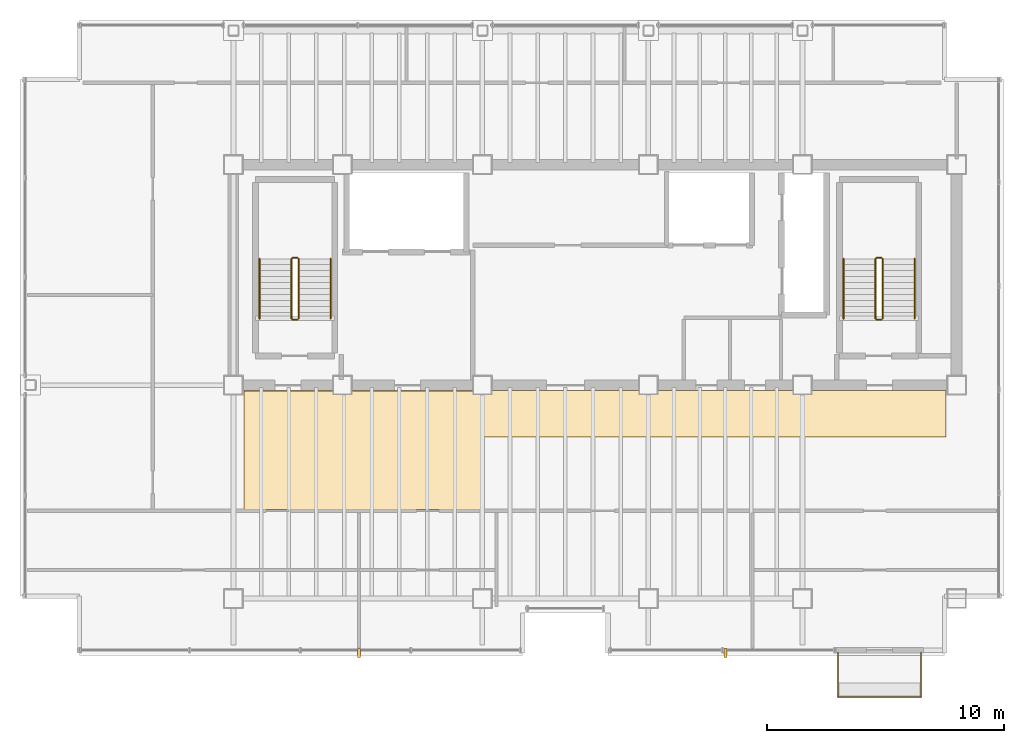
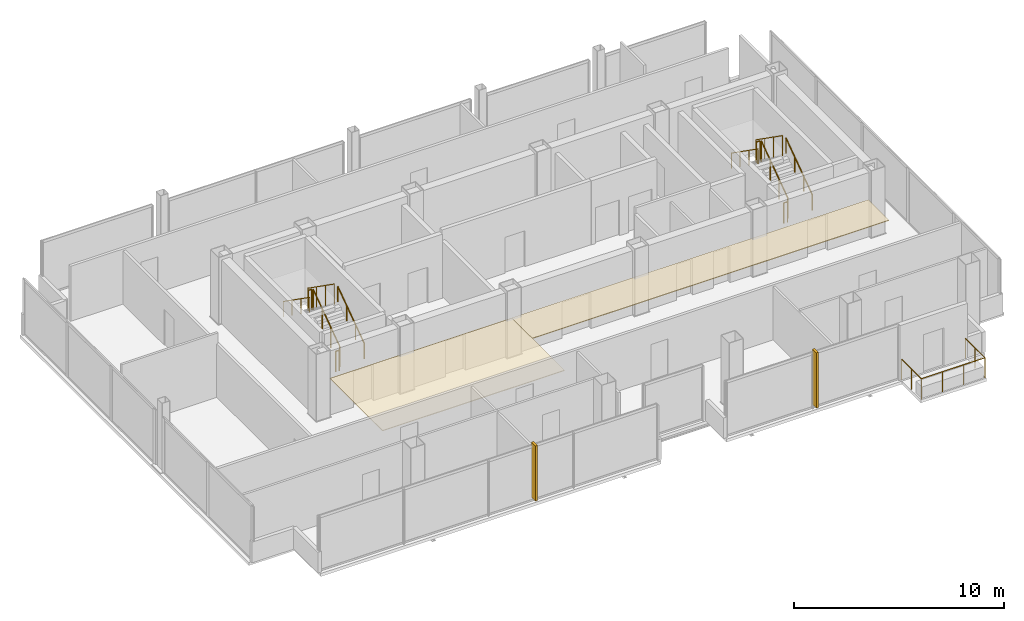
# One storey, part 17 of 17: 13 railings, 2 coverings, 2 shading devices.
"""IFC4 building model written with IfcOpenShell, lengths in metres."""

import ifcopenshell
import ifcopenshell.guid

model = None  # the IFC model being written
_history = None  # IfcOwnerHistory: only IFC2X3 demands one
_inside = {}  # id of a spatial element -> (the spatial element, [elements in it])
_under = {}  # id of a project, library or spatial element -> (it, [spatial elements below it])
_declared = {}  # id of a project -> (the project, [libraries it declares])
_typed = {}  # id of a type object -> (the type object, [elements of that type])
_made_of = {}  # id of a material, layer set ... -> (it, [elements and type objects made of it])


def new_model(schema):
    """Start an empty IFC model of exactly this schema.

    Asked for "IFC4X3", IfcOpenShell would pick the latest addendum, in which some entities
    have other attributes; the version numbers below select the first issue.
    IFC2X3 requires an IfcOwnerHistory on every rooted entity: one is made here for all.
    """
    global model, _history
    if schema == "IFC4X3":
        model = ifcopenshell.file(schema_version=(4, 3, 0, 0))
    else:
        model = ifcopenshell.file(schema=schema)
    _inside.clear()
    _under.clear()
    _declared.clear()
    _typed.clear()
    _made_of.clear()
    _history = None
    if model.schema == "IFC2X3":
        org = make("IfcOrganization", Name="unknown")
        user = make(
            "IfcPersonAndOrganization",
            ThePerson=make("IfcPerson", FamilyName="unknown"),
            TheOrganization=org,
        )
        app = make(
            "IfcApplication",
            ApplicationDeveloper=org,
            Version="unknown",
            ApplicationFullName="unknown",
            ApplicationIdentifier="unknown",
        )
        _history = make(
            "IfcOwnerHistory",
            OwningUser=user,
            OwningApplication=app,
            ChangeAction="ADDED",
            CreationDate=0,
        )
    return model


def make(cls, **values):
    """One entity of the class cls with the attributes given. An attribute that is None is left unset."""
    return model.create_entity(
        cls, **{name: value for name, value in values.items() if value is not None}
    )


def rooted(cls, **values):
    """An entity with a GlobalId (a new one), such as an element, a storey or a relation."""
    return make(cls, GlobalId=ifcopenshell.guid.new(), OwnerHistory=_history, **values)


def si_unit(unit_type, name, prefix=None):
    """IfcSIUnit, for example si_unit("LENGTHUNIT", "METRE", prefix="MILLI")."""
    return make("IfcSIUnit", UnitType=unit_type, Prefix=prefix, Name=name)


def assignment(units):
    """IfcUnitAssignment: the units of a project."""
    return None if units is None else make("IfcUnitAssignment", Units=units)


def point(xyz):
    """IfcCartesianPoint."""
    return None if xyz is None else make("IfcCartesianPoint", Coordinates=xyz)


def direction(xyz):
    """IfcDirection."""
    return None if xyz is None else make("IfcDirection", DirectionRatios=xyz)


def frame(location, z_axis=None, x_axis=None):
    """IfcAxis2Placement3D, a coordinate frame: its origin and axes. An axis left out is left unset."""
    return make(
        "IfcAxis2Placement3D",
        Location=point(location),
        Axis=direction(z_axis),
        RefDirection=direction(x_axis),
    )


def frame_2d(location, x_axis=None):
    """IfcAxis2Placement2D, a coordinate frame in the plane: its origin and x axis."""
    return make(
        "IfcAxis2Placement2D", Location=point(location), RefDirection=direction(x_axis)
    )


def origin():
    """The frame at (0, 0, 0) with its axes left unset."""
    return frame((0.0, 0.0, 0.0))


def origin_2d():
    """The frame at (0, 0) in the plane with its x axis left unset."""
    return frame_2d((0.0, 0.0))


def place(relative_to, where):
    """IfcLocalPlacement: puts the frame where relative to a parent placement (None: the world)."""
    return make(
        "IfcLocalPlacement", PlacementRelTo=relative_to, RelativePlacement=where
    )


def context(
    kind, dimensions, precision=None, world=None, true_north=None, identifier=None
):
    """IfcGeometricRepresentationContext, for example the 3D "Model" context."""
    return make(
        "IfcGeometricRepresentationContext",
        ContextIdentifier=identifier,
        ContextType=kind,
        CoordinateSpaceDimension=dimensions,
        Precision=precision,
        WorldCoordinateSystem=world,
        TrueNorth=true_north,
    )


def subcontext(parent, identifier, kind, view, scale=None):
    """IfcGeometricRepresentationSubContext, for example "Body" below "Model"."""
    return make(
        "IfcGeometricRepresentationSubContext",
        ContextIdentifier=identifier,
        ContextType=kind,
        ParentContext=parent,
        TargetScale=scale,
        TargetView=view,
    )


def project(units=None, contexts=None):
    """IfcProject with its units and contexts."""
    return rooted(
        "IfcProject",
        Name="project",
        RepresentationContexts=contexts,
        UnitsInContext=assignment(units),
    )


def spatial(cls, under=None, at=None, **own):
    """A site, building, storey or space (cls), placed at a placement, below another one or the project."""
    s = rooted(cls, ObjectPlacement=at, **own)
    if under is not None:
        _under.setdefault(under.id(), (under, []))[1].append(s)
    return s


def polyline(points):
    """IfcPolyline through the points."""
    return make("IfcPolyline", Points=[point(p) for p in points])


def profile(cls, at=None, kind="AREA", **sizes):
    """A parametric profile (cls). Its sizes go by their IFC names, for example OverallWidth=200.0."""
    return make(cls, ProfileType=kind, Position=at, **sizes)


def rectangle(**sizes):
    """IfcRectangleProfileDef."""
    return profile("IfcRectangleProfileDef", **sizes)


def circle(**sizes):
    """IfcCircleProfileDef."""
    return profile("IfcCircleProfileDef", **sizes)


def outline(outer, holes=None, kind="AREA"):
    """IfcArbitraryClosedProfileDef: a profile drawn as a closed curve; with holes, ...WithVoids."""
    if holes is None:
        return make("IfcArbitraryClosedProfileDef", ProfileType=kind, OuterCurve=outer)
    return make(
        "IfcArbitraryProfileDefWithVoids",
        ProfileType=kind,
        OuterCurve=outer,
        InnerCurves=holes,
    )


def extrude(swept, where, along, depth):
    """IfcExtrudedAreaSolid: the profile swept, set in the frame where, extruded along a direction by depth."""
    return make(
        "IfcExtrudedAreaSolid",
        SweptArea=swept,
        Position=where,
        ExtrudedDirection=direction(along),
        Depth=depth,
    )


def shape(context_of_items, identifier, shape_type, items):
    """IfcShapeRepresentation: the items that make up one representation, for example the "Body"."""
    return make(
        "IfcShapeRepresentation",
        ContextOfItems=context_of_items,
        RepresentationIdentifier=identifier,
        RepresentationType=shape_type,
        Items=items,
    )


def material(Name=None, Category=None):
    """IfcMaterial."""
    return make("IfcMaterial", Name=Name, Category=Category)


def layer(
    of_material, thickness, ventilated=None, Name=None, Category=None, Priority=None
):
    """IfcMaterialLayer: one layer of a wall or slab, of a material (None: an air gap)."""
    return make(
        "IfcMaterialLayer",
        Material=of_material,
        LayerThickness=thickness,
        IsVentilated=ventilated,
        Name=Name,
        Category=Category,
        Priority=Priority,
    )


def layer_set(layers, Name=None):
    """IfcMaterialLayerSet."""
    return make("IfcMaterialLayerSet", MaterialLayers=layers, LayerSetName=Name)


def made_of(thing, what):
    """Note that an element or type object is made of a material, layer set ...; save() writes the relation."""
    if what is not None:
        _made_of.setdefault(what.id(), (what, []))[1].append(thing)
    return thing


def type_object(cls, material=None, **own):
    """A type object (cls), such as IfcWallType, which elements share."""
    return made_of(rooted(cls, **own), material)


def element(
    cls,
    number,
    at=None,
    inside=None,
    cuts=None,
    type_object=None,
    material=None,
    context=None,
    identifier="Body",
    shape_type=None,
    held_by="IfcProductDefinitionShape",
    body=None,
    shapes=None,
    **own,
):
    """One element of the class cls, such as IfcWall. Its Tag is "e" and its number.

    at: its placement. inside: the storey or other place that contains it. cuts: it is an
    opening in that element (IfcRelVoidsElement). A single representation is given by context,
    identifier, shape_type and body (its items); several are given by shapes. held_by: the class
    of the entity that holds the representations. save() writes the other relations.
    """
    e = rooted(cls, Tag="e%d" % number, ObjectPlacement=at, **own)
    if body is not None:
        shapes = [shape(context, identifier, shape_type, body)]
    if shapes is not None:
        e.Representation = make(held_by, Representations=shapes)
    if inside is not None:
        _inside.setdefault(inside.id(), (inside, []))[1].append(e)
    if cuts is not None:
        rooted(
            "IfcRelVoidsElement", RelatingBuildingElement=cuts, RelatedOpeningElement=e
        )
    if type_object is not None:
        _typed.setdefault(type_object.id(), (type_object, []))[1].append(e)
    return made_of(e, material)


def aggregate(whole, parts):
    """IfcRelAggregates: a whole, such as a stair, and the parts it consists of."""
    return rooted("IfcRelAggregates", RelatingObject=whole, RelatedObjects=parts)


def save(model, path):
    """Write the relations noted so far, then the file.

    IfcRelAggregates (storeys below a building ...), IfcRelContainedInSpatialStructure (elements
    in a storey), IfcRelDefinesByType, IfcRelAssociatesMaterial and IfcRelDeclares: one each for
    every whole, place, type object, material and project.
    """
    for whole, parts in _under.values():
        aggregate(whole, parts)
    for where, things in _inside.values():
        rooted(
            "IfcRelContainedInSpatialStructure",
            RelatedElements=things,
            RelatingStructure=where,
        )
    for kind, things in _typed.values():
        rooted("IfcRelDefinesByType", RelatedObjects=things, RelatingType=kind)
    for what, things in _made_of.values():
        rooted("IfcRelAssociatesMaterial", RelatedObjects=things, RelatingMaterial=what)
    for by, libraries in _declared.values():
        rooted("IfcRelDeclares", RelatingContext=by, RelatedDefinitions=libraries)
    model.write(path)


model = new_model("IFC4")

# Units and contexts
model_context = context("Model", 3, precision=1e-05, world=origin(), true_north=direction((0.0, 1.0)))
body_context = subcontext(model_context, "Body", "Model", "MODEL_VIEW")
ifc_project = project(units=[si_unit("LENGTHUNIT", "METRE"), si_unit("AREAUNIT", "SQUARE_METRE"), si_unit("VOLUMEUNIT", "CUBIC_METRE"), si_unit("PLANEANGLEUNIT", "RADIAN"), si_unit("MASSUNIT", "GRAM", prefix="KILO")], contexts=[model_context])

# Site, building, storey
site_placement = place(None, origin())
site = spatial("IfcSite", under=ifc_project, at=site_placement, CompositionType="ELEMENT")
building_placement = place(site_placement, origin())
building = spatial("IfcBuilding", under=site, at=building_placement, Name="Noeulbin Bourse Tower", CompositionType="ELEMENT")
storey_placement = place(building_placement, frame((0.0, 0.0, 261.800048828125)))
storey = spatial("IfcBuildingStorey", under=building, at=storey_placement, Name="L65", CompositionType="ELEMENT", Elevation=261.800048828125)

# Coverings
ifc_material_1 = material(Name="Perforated Mineral-Fibre Acoustic Tile")
ifc_layer_1 = layer(ifc_material_1, 0.0400390625)
ifc_layer_set_1 = layer_set([ifc_layer_1], Name="Perforated Mineral-Fibre Acoustic Tile")
covering_type_1 = type_object("IfcCoveringType", Name="COV-CEIL-ACT", PredefinedType="CEILING", material=ifc_layer_set_1)
covering_1_placement = place(storey_placement, frame((0.0, 0.0, 2.10986328125)))
element("IfcCovering", 1, at=covering_1_placement, inside=storey, type_object=covering_type_1, Name="Trading Suite Acoustic Ceiling L65", PredefinedType="CEILING", context=body_context, shape_type="SweptSolid", body=[
    extrude(outline(polyline([(13.949951171875, 23.75), (23.949951171875, 23.75), (23.949951171875, 28.75), (13.949951171875, 28.75), (13.949951171875, 23.75)])), origin(), (0.0, 0.0, 1.0), 0.0400390625),
])
ifc_material_2 = material(Name="Linear Anodised Aluminium Baffle Ceiling", Category="aluminium")
ifc_layer_2 = layer(ifc_material_2, 0.050048828125)
ifc_layer_set_2 = layer_set([ifc_layer_2], Name="Linear Anodised Aluminium Baffle Ceiling")
covering_type_2 = type_object("IfcCoveringType", Name="COV-CEIL-MTL", PredefinedType="CEILING", material=ifc_layer_set_2)
covering_2_placement = place(storey_placement, frame((0.0, 0.0, 2.10986328125)))
element("IfcCovering", 2, at=covering_2_placement, inside=storey, type_object=covering_type_2, Name="Corridor Suspended Ceiling L65", PredefinedType="CEILING", context=body_context, shape_type="SweptSolid", body=[
    extrude(outline(polyline([(13.949951171875, 26.820068359375), (43.550048828125, 26.820068359375), (43.550048828125, 28.780029296875), (13.949951171875, 28.780029296875), (13.949951171875, 26.820068359375)])), origin(), (0.0, 0.0, 1.0), 0.0400390625),
])

# Railings
ifc_material_3 = material(Name="Laminated SentryGlas and Stainless Steel 316", Category="steel")
ifc_layer_3 = layer(ifc_material_3, 0.06005859375)
ifc_layer_set_3 = layer_set([ifc_layer_3], Name="Laminated SentryGlas and Stainless Steel 316")
railing_type_1 = type_object("IfcRailingType", Name="RLG-BAL-1200", PredefinedType="BALUSTRADE", material=ifc_layer_set_3)
railing_1_placement = place(storey_placement, frame((39.0, 17.719970703125, 0.0)))
element("IfcRailing", 3, at=railing_1_placement, inside=storey, type_object=railing_type_1, Name="Tree-Balcony Glazed Balustrade L65", PredefinedType="BALUSTRADE", context=body_context, shape_type="SweptSolid", body=[
    extrude(circle(Radius=0.02392578125, at=origin_2d()), frame((0.0, 0.0, 1.17578125), z_axis=(0.0, -1.0, 0.0), x_axis=(1.0, 0.0, 0.0)), (0.0, 0.0, 1.0), 1.869873046875),
    extrude(circle(Radius=0.02392578125, at=origin_2d()), frame((0.0, -1.869873046875, 1.17578125), z_axis=(1.0, 0.0, 0.0), x_axis=(0.0, 1.0, 0.0)), (0.0, 0.0, 1.0), 3.5),
    extrude(circle(Radius=0.02392578125, at=origin_2d()), frame((3.5, -1.869873046875, 1.17578125), z_axis=(0.0, 1.0, 0.0), x_axis=(-1.0, 0.0, 0.0)), (0.0, 0.0, 1.0), 1.869873046875),
    extrude(circle(Radius=0.02099609375, at=origin_2d()), origin(), (0.0, 0.0, 1.0), 1.15185546875),
    extrude(circle(Radius=0.02099609375, at=origin_2d()), frame((0.0, -0.93505859375, 0.0)), (0.0, 0.0, 1.0), 1.15185546875),
    extrude(circle(Radius=0.02099609375, at=origin_2d()), frame((0.0, -1.869873046875, 0.0)), (0.0, 0.0, 1.0), 1.15185546875),
    extrude(circle(Radius=0.02099609375, at=origin_2d()), frame((1.166748046875, -1.869873046875, 0.0)), (0.0, 0.0, 1.0), 1.15185546875),
    extrude(circle(Radius=0.02099609375, at=origin_2d()), frame((2.333251953125, -1.869873046875, 0.0)), (0.0, 0.0, 1.0), 1.15185546875),
    extrude(circle(Radius=0.02099609375, at=origin_2d()), frame((3.5, -1.869873046875, 0.0)), (0.0, 0.0, 1.0), 1.15185546875),
    extrude(circle(Radius=0.02099609375, at=origin_2d()), frame((3.5, -0.93505859375, 0.0)), (0.0, 0.0, 1.0), 1.15185546875),
    extrude(circle(Radius=0.02099609375, at=origin_2d()), frame((3.5, 0.0, 0.0)), (0.0, 0.0, 1.0), 1.15185546875),
])
ifc_material_4 = material(Name="Painted Tubular Steel S355", Category="steel")
ifc_layer_4 = layer(ifc_material_4, 0.048095703125)
ifc_layer_set_4 = layer_set([ifc_layer_4], Name="Painted Tubular Steel S355")
railing_type_2 = type_object("IfcRailingType", Name="RLG-STR-GRD", PredefinedType="GUARDRAIL", material=ifc_layer_set_4)
railing_2_placement = place(storey_placement, frame((16.25, 31.81005859375, 0.17724609375)))
element("IfcRailing", 4, at=railing_2_placement, inside=storey, type_object=railing_type_2, Name="L65 ST-1 stair guard 1", PredefinedType="GUARDRAIL", context=body_context, shape_type="SweptSolid", body=[
    extrude(circle(Radius=0.02392578125, at=origin_2d()), frame((0.0, 0.0, 1.17578125), z_axis=(0.0, 0.817904474719, 0.575354039036), x_axis=(-1.0, 0.0, 0.0)), (0.0, 0.0, 1.0), 3.0810546875),
    extrude(circle(Radius=0.02099609375, at=origin_2d()), origin(), (0.0, 0.0, 1.0), 1.15185546875),
    extrude(circle(Radius=0.02099609375, at=origin_2d()), frame((0.0, 0.840087890625, 0.5908203125)), (0.0, 0.0, 1.0), 1.15185546875),
    extrude(circle(Radius=0.02099609375, at=origin_2d()), frame((0.0, 1.679931640625, 1.181884765625)), (0.0, 0.0, 1.0), 1.15185546875),
    extrude(circle(Radius=0.02099609375, at=origin_2d()), frame((0.0, 2.52001953125, 1.772705078125)), (0.0, 0.0, 1.0), 1.15185546875),
])
railing_3_placement = place(storey_placement, frame((16.199951171875, 34.3798828125, 1.949951171875)))
element("IfcRailing", 5, at=railing_3_placement, inside=storey, type_object=railing_type_2, Name="L65 ST-1 stair guard 2", PredefinedType="GUARDRAIL", context=body_context, shape_type="SweptSolid", body=[
    extrude(circle(Radius=0.02392578125, at=origin_2d()), frame((0.0, 0.0, 1.17578125), z_axis=(-1.0, 0.0, 0.0), x_axis=(0.0, -1.0, 0.0)), (0.0, 0.0, 1.0), 0.199951171875),
    extrude(circle(Radius=0.02099609375, at=origin_2d()), origin(), (0.0, 0.0, 1.0), 1.15185546875),
    extrude(circle(Radius=0.02099609375, at=origin_2d()), frame((-0.199951171875, 0.0, 0.0)), (0.0, 0.0, 1.0), 1.15185546875),
])
railing_4_placement = place(storey_placement, frame((15.949951171875, 34.330078125, 2.127197265625)))
element("IfcRailing", 6, at=railing_4_placement, inside=storey, type_object=railing_type_2, Name="L65 ST-1 stair guard 3", PredefinedType="GUARDRAIL", context=body_context, shape_type="SweptSolid", body=[
    extrude(circle(Radius=0.02392578125, at=origin_2d()), frame((0.0, 0.0, 1.17578125), z_axis=(0.0, -0.817904474719, 0.575354039036), x_axis=(1.0, 0.0, 0.0)), (0.0, 0.0, 1.0), 3.0810546875),
    extrude(circle(Radius=0.02099609375, at=origin_2d()), origin(), (0.0, 0.0, 1.0), 1.15185546875),
    extrude(circle(Radius=0.02099609375, at=origin_2d()), frame((0.0, -0.840087890625, 0.5908203125)), (0.0, 0.0, 1.0), 1.15185546875),
    extrude(circle(Radius=0.02099609375, at=origin_2d()), frame((0.0, -1.679931640625, 1.181884765625)), (0.0, 0.0, 1.0), 1.15185546875),
    extrude(circle(Radius=0.02099609375, at=origin_2d()), frame((0.0, -2.52001953125, 1.772705078125)), (0.0, 0.0, 1.0), 1.15185546875),
])
railing_5_placement = place(storey_placement, frame((16.199951171875, 31.760009765625, 0.0)))
element("IfcRailing", 7, at=railing_5_placement, inside=storey, type_object=railing_type_2, Name="L65 ST-1 stair guard 4", PredefinedType="GUARDRAIL", context=body_context, shape_type="SweptSolid", body=[
    extrude(circle(Radius=0.02392578125, at=origin_2d()), frame((0.0, 0.0, 1.17578125), z_axis=(-1.0, 0.0, 0.0), x_axis=(0.0, -1.0, 0.0)), (0.0, 0.0, 1.0), 0.199951171875),
    extrude(circle(Radius=0.02099609375, at=origin_2d()), origin(), (0.0, 0.0, 1.0), 1.15185546875),
    extrude(circle(Radius=0.02099609375, at=origin_2d()), frame((-0.199951171875, 0.0, 0.0)), (0.0, 0.0, 1.0), 1.15185546875),
])
railing_6_placement = place(storey_placement, frame((40.8798828125, 31.81005859375, 0.17724609375)))
element("IfcRailing", 8, at=railing_6_placement, inside=storey, type_object=railing_type_2, Name="L65 ST-2 stair guard 1", PredefinedType="GUARDRAIL", context=body_context, shape_type="SweptSolid", body=[
    extrude(circle(Radius=0.02392578125, at=origin_2d()), frame((0.0, 0.0, 1.17578125), z_axis=(0.0, 0.817904474719, 0.575354039036), x_axis=(-1.0, 0.0, 0.0)), (0.0, 0.0, 1.0), 3.0810546875),
    extrude(circle(Radius=0.02099609375, at=origin_2d()), origin(), (0.0, 0.0, 1.0), 1.15185546875),
    extrude(circle(Radius=0.02099609375, at=origin_2d()), frame((0.0, 0.840087890625, 0.5908203125)), (0.0, 0.0, 1.0), 1.15185546875),
    extrude(circle(Radius=0.02099609375, at=origin_2d()), frame((0.0, 1.679931640625, 1.181884765625)), (0.0, 0.0, 1.0), 1.15185546875),
    extrude(circle(Radius=0.02099609375, at=origin_2d()), frame((0.0, 2.52001953125, 1.772705078125)), (0.0, 0.0, 1.0), 1.15185546875),
])
railing_7_placement = place(storey_placement, frame((40.830078125, 34.3798828125, 1.949951171875)))
element("IfcRailing", 9, at=railing_7_placement, inside=storey, type_object=railing_type_2, Name="L65 ST-2 stair guard 2", PredefinedType="GUARDRAIL", context=body_context, shape_type="SweptSolid", body=[
    extrude(circle(Radius=0.02392578125, at=origin_2d()), frame((0.0, 0.0, 1.17578125), z_axis=(-1.0, 0.0, 0.0), x_axis=(0.0, -1.0, 0.0)), (0.0, 0.0, 1.0), 0.2001953125),
    extrude(circle(Radius=0.02099609375, at=origin_2d()), origin(), (0.0, 0.0, 1.0), 1.15185546875),
    extrude(circle(Radius=0.02099609375, at=origin_2d()), frame((-0.2001953125, 0.0, 0.0)), (0.0, 0.0, 1.0), 1.15185546875),
])
railing_8_placement = place(storey_placement, frame((40.580078125, 34.330078125, 2.127197265625)))
element("IfcRailing", 10, at=railing_8_placement, inside=storey, type_object=railing_type_2, Name="L65 ST-2 stair guard 3", PredefinedType="GUARDRAIL", context=body_context, shape_type="SweptSolid", body=[
    extrude(circle(Radius=0.02392578125, at=origin_2d()), frame((0.0, 0.0, 1.17578125), z_axis=(0.0, -0.817904474719, 0.575354039036), x_axis=(1.0, 0.0, 0.0)), (0.0, 0.0, 1.0), 3.0810546875),
    extrude(circle(Radius=0.02099609375, at=origin_2d()), origin(), (0.0, 0.0, 1.0), 1.15185546875),
    extrude(circle(Radius=0.02099609375, at=origin_2d()), frame((0.0, -0.840087890625, 0.5908203125)), (0.0, 0.0, 1.0), 1.15185546875),
    extrude(circle(Radius=0.02099609375, at=origin_2d()), frame((0.0, -1.679931640625, 1.181884765625)), (0.0, 0.0, 1.0), 1.15185546875),
    extrude(circle(Radius=0.02099609375, at=origin_2d()), frame((0.0, -2.52001953125, 1.772705078125)), (0.0, 0.0, 1.0), 1.15185546875),
])
railing_9_placement = place(storey_placement, frame((40.830078125, 31.760009765625, 0.0)))
element("IfcRailing", 11, at=railing_9_placement, inside=storey, type_object=railing_type_2, Name="L65 ST-2 stair guard 4", PredefinedType="GUARDRAIL", context=body_context, shape_type="SweptSolid", body=[
    extrude(circle(Radius=0.02392578125, at=origin_2d()), frame((0.0, 0.0, 1.17578125), z_axis=(-1.0, 0.0, 0.0), x_axis=(0.0, -1.0, 0.0)), (0.0, 0.0, 1.0), 0.2001953125),
    extrude(circle(Radius=0.02099609375, at=origin_2d()), origin(), (0.0, 0.0, 1.0), 1.15185546875),
    extrude(circle(Radius=0.02099609375, at=origin_2d()), frame((-0.2001953125, 0.0, 0.0)), (0.0, 0.0, 1.0), 1.15185546875),
])
ifc_material_5 = material(Name="Brushed Stainless Steel 316", Category="steel")
ifc_layer_5 = layer(ifc_material_5, 0.048095703125)
ifc_layer_set_5 = layer_set([ifc_layer_5], Name="Brushed Stainless Steel 316")
railing_type_3 = type_object("IfcRailingType", Name="RLG-STR-HND", PredefinedType="HANDRAIL", material=ifc_layer_set_5)
railing_10_placement = place(storey_placement, frame((17.60009765625, 31.81005859375, 0.17724609375)))
element("IfcRailing", 12, at=railing_10_placement, inside=storey, type_object=railing_type_3, Name="L65 ST-1 stair handrail 1", PredefinedType="HANDRAIL", context=body_context, shape_type="SweptSolid", body=[
    extrude(circle(Radius=0.02392578125, at=origin_2d()), frame((0.0, 0.0, 0.8759765625), z_axis=(0.0, 0.817904474719, 0.575354039036), x_axis=(-1.0, 0.0, 0.0)), (0.0, 0.0, 1.0), 3.0810546875),
    extrude(circle(Radius=0.02099609375, at=origin_2d()), origin(), (0.0, 0.0, 1.0), 0.851806640625),
    extrude(circle(Radius=0.02099609375, at=origin_2d()), frame((0.0, 0.840087890625, 0.5908203125)), (0.0, 0.0, 1.0), 0.851806640625),
    extrude(circle(Radius=0.02099609375, at=origin_2d()), frame((0.0, 1.679931640625, 1.181884765625)), (0.0, 0.0, 1.0), 0.851806640625),
    extrude(circle(Radius=0.02099609375, at=origin_2d()), frame((0.0, 2.52001953125, 1.772705078125)), (0.0, 0.0, 1.0), 0.851806640625),
])
railing_11_placement = place(storey_placement, frame((14.60009765625, 34.330078125, 2.127197265625)))
element("IfcRailing", 13, at=railing_11_placement, inside=storey, type_object=railing_type_3, Name="L65 ST-1 stair handrail 2", PredefinedType="HANDRAIL", context=body_context, shape_type="SweptSolid", body=[
    extrude(circle(Radius=0.02392578125, at=origin_2d()), frame((0.0, 0.0, 0.8759765625), z_axis=(0.0, -0.817904474719, 0.575354039036), x_axis=(1.0, 0.0, 0.0)), (0.0, 0.0, 1.0), 3.0810546875),
    extrude(circle(Radius=0.02099609375, at=origin_2d()), origin(), (0.0, 0.0, 1.0), 0.851806640625),
    extrude(circle(Radius=0.02099609375, at=origin_2d()), frame((0.0, -0.840087890625, 0.5908203125)), (0.0, 0.0, 1.0), 0.851806640625),
    extrude(circle(Radius=0.02099609375, at=origin_2d()), frame((0.0, -1.679931640625, 1.181884765625)), (0.0, 0.0, 1.0), 0.851806640625),
    extrude(circle(Radius=0.02099609375, at=origin_2d()), frame((0.0, -2.52001953125, 1.772705078125)), (0.0, 0.0, 1.0), 0.851806640625),
])
railing_12_placement = place(storey_placement, frame((42.22998046875, 31.81005859375, 0.17724609375)))
element("IfcRailing", 14, at=railing_12_placement, inside=storey, type_object=railing_type_3, Name="L65 ST-2 stair handrail 1", PredefinedType="HANDRAIL", context=body_context, shape_type="SweptSolid", body=[
    extrude(circle(Radius=0.02392578125, at=origin_2d()), frame((0.0, 0.0, 0.8759765625), z_axis=(0.0, 0.817904474719, 0.575354039036), x_axis=(-1.0, 0.0, 0.0)), (0.0, 0.0, 1.0), 3.0810546875),
    extrude(circle(Radius=0.02099609375, at=origin_2d()), origin(), (0.0, 0.0, 1.0), 0.851806640625),
    extrude(circle(Radius=0.02099609375, at=origin_2d()), frame((0.0, 0.840087890625, 0.5908203125)), (0.0, 0.0, 1.0), 0.851806640625),
    extrude(circle(Radius=0.02099609375, at=origin_2d()), frame((0.0, 1.679931640625, 1.181884765625)), (0.0, 0.0, 1.0), 0.851806640625),
    extrude(circle(Radius=0.02099609375, at=origin_2d()), frame((0.0, 2.52001953125, 1.772705078125)), (0.0, 0.0, 1.0), 0.851806640625),
])
railing_13_placement = place(storey_placement, frame((39.22998046875, 34.330078125, 2.127197265625)))
element("IfcRailing", 15, at=railing_13_placement, inside=storey, type_object=railing_type_3, Name="L65 ST-2 stair handrail 2", PredefinedType="HANDRAIL", context=body_context, shape_type="SweptSolid", body=[
    extrude(circle(Radius=0.02392578125, at=origin_2d()), frame((0.0, 0.0, 0.8759765625), z_axis=(0.0, -0.817904474719, 0.575354039036), x_axis=(1.0, 0.0, 0.0)), (0.0, 0.0, 1.0), 3.0810546875),
    extrude(circle(Radius=0.02099609375, at=origin_2d()), origin(), (0.0, 0.0, 1.0), 0.851806640625),
    extrude(circle(Radius=0.02099609375, at=origin_2d()), frame((0.0, -0.840087890625, 0.5908203125)), (0.0, 0.0, 1.0), 0.851806640625),
    extrude(circle(Radius=0.02099609375, at=origin_2d()), frame((0.0, -1.679931640625, 1.181884765625)), (0.0, 0.0, 1.0), 0.851806640625),
    extrude(circle(Radius=0.02099609375, at=origin_2d()), frame((0.0, -2.52001953125, 1.772705078125)), (0.0, 0.0, 1.0), 0.851806640625),
])

# Shading devices
ifc_material_6 = material(Name="Anodised Aluminium 6063-T6", Category="aluminium")
ifc_layer_6 = layer(ifc_material_6, 3.199951171875)
ifc_layer_set_6 = layer_set([ifc_layer_6], Name="Anodised Aluminium 6063-T6")
shading_device_type = type_object("IfcShadingDeviceType", Name="SHD-FIN-400", PredefinedType="USERDEFINED", material=ifc_layer_set_6)
for number, where, z_axis, x_axis, name in (
    (16, (18.800048828125, 17.699951171875, 0.14990234375), (0.0, 0.0, 1.0), (1.0, 0.0, 0.0), "Vertical Solar Fin SN-L65-1"),
    (17, (34.25, 17.699951171875, 0.14990234375), (0.0, 0.0, 1.0), (1.0, 0.0, 0.0), "Vertical Solar Fin SN-L65-2"),
):
    element("IfcShadingDevice", number, at=place(storey_placement, frame(where, z_axis=z_axis, x_axis=x_axis)), inside=storey, type_object=shading_device_type, Name=name, ObjectType="SUNSHADE", PredefinedType="USERDEFINED", context=body_context, shape_type="SweptSolid", body=[
        extrude(rectangle(XDim=0.1201171875, YDim=0.3798828125, at=origin_2d()), origin(), (0.0, 0.0, 1.0), 3.199951171875),
    ])

save(model, "model.ifc")
